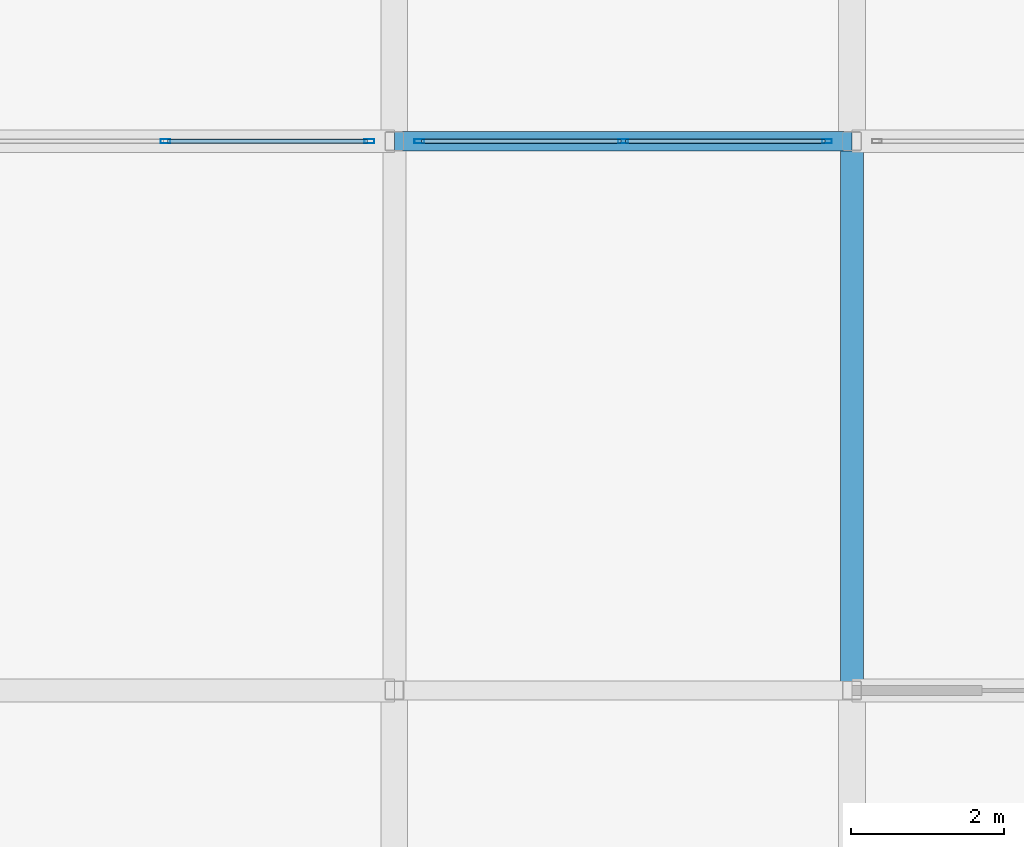
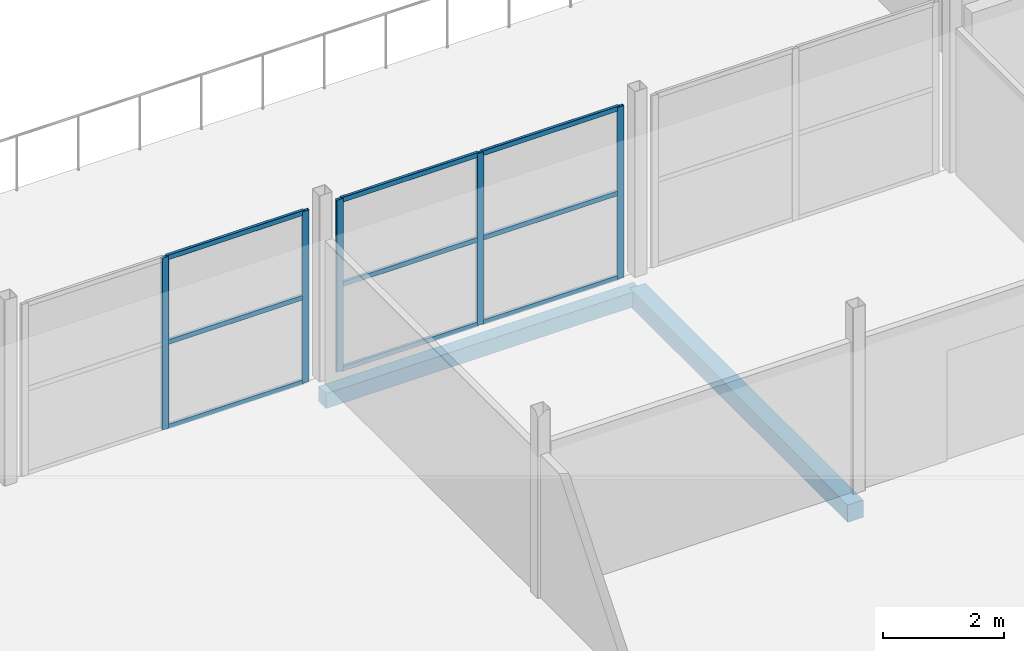
# One storey, part 164 of 239: 14 members, 2 beams, 2 elements without a shape of their own.
"""IFC4 building model written with IfcOpenShell, lengths in metres."""

from ifc_helpers import new_model, si_unit, direction, frame, origin, origin_2d, place, context, subcontext, project, spatial, rectangle, hollow_rectangle, extrude, material, layer, layer_set, material_profile, profile_set, type_object, element, aggregate, save


model = new_model("IFC4")

# Units and contexts
model_context = context("Model", 3, precision=1e-05, world=origin(), true_north=direction((0.0, 1.0)))
body_context = subcontext(model_context, "Body", "Model", "MODEL_VIEW")
ifc_project = project(units=[si_unit("LENGTHUNIT", "METRE"), si_unit("AREAUNIT", "SQUARE_METRE"), si_unit("VOLUMEUNIT", "CUBIC_METRE"), si_unit("PLANEANGLEUNIT", "RADIAN"), si_unit("MASSUNIT", "GRAM", prefix="KILO")], contexts=[model_context])

# Site, building, storey
site_placement = place(None, origin())
site = spatial("IfcSite", under=ifc_project, at=site_placement, CompositionType="ELEMENT")
building_placement = place(site_placement, origin())
building = spatial("IfcBuilding", under=site, at=building_placement, Name="Dunvalen Ferry Terminal", CompositionType="ELEMENT")
storey_placement = place(building_placement, frame((0.0, 0.0, 9.840087890625)))
storey = spatial("IfcBuildingStorey", under=building, at=storey_placement, Name="L02", CompositionType="ELEMENT", Elevation=9.840087890625)

# Curtain wall, members
ifc_material_1 = material(Name="Anodised marine aluminium and solar-control glazing", Category="aluminium")
ifc_layer = layer(ifc_material_1, 0.159912109375, Name="Anodised marine aluminium and solar-control glazing")
ifc_layer_set = layer_set([ifc_layer], Name="Anodised marine aluminium and solar-control glazing")
curtain_wall_type = type_object("IfcCurtainWallType", Name="ENV-CW-SYS-09", PredefinedType="NOTDEFINED", material=ifc_layer_set)
curtain_wall_1_placement = place(storey_placement, origin())
curtain_wall_1 = element("IfcCurtainWall", 1, at=curtain_wall_1_placement, inside=storey, type_object=curtain_wall_type, Name="L02 Curtain Wall CW-PAV-N-3", PredefinedType="NOTDEFINED")
ifc_material_2 = material(Name="Anodised marine aluminium EN AW-6063 T6", Category="aluminium")
ifc_material_profile_1 = material_profile(ifc_material_2, hollow_rectangle(XDim=0.054931640625, YDim=0.1298828125, WallThickness=0.003173828125, InnerFilletRadius=0.003173828125, OuterFilletRadius=0.00634765625, at=origin_2d()), Name="Anodised marine aluminium EN AW-6063 T6")
ifc_profile_set_1 = profile_set([ifc_material_profile_1], Name="Anodised marine aluminium EN AW-6063 T6")
member_type_1 = type_object("IfcMemberType", Name="ENV-CW-MUL-4", PredefinedType="MULLION", material=ifc_profile_set_1)
member_1_placement = place(storey_placement, frame((129.0, 36.0, 0.0), z_axis=(0.0, 0.0, 1.0), x_axis=(0.0, 1.0, 0.0)))
member_1 = element("IfcMember", 2, at=member_1_placement, type_object=member_type_1, Name="CW-09 mullion 2", PredefinedType="MULLION", context=body_context, shape_type="SweptSolid", body=[
    extrude(hollow_rectangle(XDim=0.054931640625, YDim=0.1298828125, WallThickness=0.003173828125, InnerFilletRadius=0.003173828125, OuterFilletRadius=0.00634765625, at=origin_2d()), origin(), (0.0, 0.0, 1.0), 3.4599609375),
])
member_2_placement = place(storey_placement, frame((131.672607421875, 36.0, 0.0), z_axis=(0.0, 0.0, 1.0), x_axis=(0.0, 1.0, 0.0)))
member_2 = element("IfcMember", 3, at=member_2_placement, type_object=member_type_1, Name="CW-09 mullion 3", PredefinedType="MULLION", context=body_context, shape_type="SweptSolid", body=[
    extrude(hollow_rectangle(XDim=0.054931640625, YDim=0.1298828125, WallThickness=0.003173828125, InnerFilletRadius=0.003173828125, OuterFilletRadius=0.00634765625, at=origin_2d()), origin(), (0.0, 0.0, 1.0), 3.4599609375),
])

curtain_wall_2_placement = place(storey_placement, origin())
curtain_wall_2 = element("IfcCurtainWall", 4, at=curtain_wall_2_placement, inside=storey, type_object=curtain_wall_type, Name="L02 Curtain Wall CW-PAV-N-4", PredefinedType="NOTDEFINED")
member_3_placement = place(storey_placement, frame((132.327392578125, 36.0, 0.0), z_axis=(0.0, 0.0, 1.0), x_axis=(0.0, 1.0, 0.0)))
member_3 = element("IfcMember", 5, at=member_3_placement, type_object=member_type_1, Name="CW-09 mullion 1", PredefinedType="MULLION", context=body_context, shape_type="SweptSolid", body=[
    extrude(hollow_rectangle(XDim=0.054931640625, YDim=0.1298828125, WallThickness=0.003173828125, InnerFilletRadius=0.003173828125, OuterFilletRadius=0.00634765625, at=origin_2d()), origin(), (0.0, 0.0, 1.0), 3.4599609375),
])
member_4_placement = place(storey_placement, frame((135.0, 36.0, 0.0), z_axis=(0.0, 0.0, 1.0), x_axis=(0.0, 1.0, 0.0)))
member_4 = element("IfcMember", 6, at=member_4_placement, type_object=member_type_1, Name="CW-09 mullion 2", PredefinedType="MULLION", context=body_context, shape_type="SweptSolid", body=[
    extrude(hollow_rectangle(XDim=0.054931640625, YDim=0.1298828125, WallThickness=0.003173828125, InnerFilletRadius=0.003173828125, OuterFilletRadius=0.00634765625, at=origin_2d()), origin(), (0.0, 0.0, 1.0), 3.4599609375),
])
member_5_placement = place(storey_placement, frame((137.672607421875, 36.0, 0.0), z_axis=(0.0, 0.0, 1.0), x_axis=(0.0, 1.0, 0.0)))
member_5 = element("IfcMember", 7, at=member_5_placement, type_object=member_type_1, Name="CW-09 mullion 3", PredefinedType="MULLION", context=body_context, shape_type="SweptSolid", body=[
    extrude(hollow_rectangle(XDim=0.054931640625, YDim=0.1298828125, WallThickness=0.003173828125, InnerFilletRadius=0.003173828125, OuterFilletRadius=0.00634765625, at=origin_2d()), origin(), (0.0, 0.0, 1.0), 3.4599609375),
])

# Member
ifc_material_profile_2 = material_profile(ifc_material_2, hollow_rectangle(XDim=0.054931640625, YDim=0.10009765625, WallThickness=0.0029296875, InnerFilletRadius=0.0029296875, OuterFilletRadius=0.006103515625, at=origin_2d()), Name="Anodised marine aluminium EN AW-6063 T6")
ifc_profile_set_2 = profile_set([ifc_material_profile_2], Name="Anodised marine aluminium EN AW-6063 T6")
member_type_2 = type_object("IfcMemberType", Name="ENV-CW-TRN-4", PredefinedType="USERDEFINED", material=ifc_profile_set_2)
member_6_placement = place(storey_placement, frame((129.027587890625, 36.0, 0.02734375), z_axis=(1.0, 0.0, 0.0), x_axis=(0.0, 1.0, 0.0)))
member_6 = element("IfcMember", 8, at=member_6_placement, type_object=member_type_2, Name="CW-09 transom 2.1", ObjectType="TRANSOM", PredefinedType="USERDEFINED", context=body_context, shape_type="SweptSolid", body=[
    extrude(hollow_rectangle(XDim=0.054931640625, YDim=0.10009765625, WallThickness=0.0029296875, InnerFilletRadius=0.0029296875, OuterFilletRadius=0.006103515625, at=origin_2d()), origin(), (0.0, 0.0, 1.0), 2.617431640625),
])

member_7_placement = place(storey_placement, frame((129.027587890625, 36.0, 1.72998046875), z_axis=(1.0, 0.0, 0.0), x_axis=(0.0, 1.0, 0.0)))
member_7 = element("IfcMember", 9, at=member_7_placement, type_object=member_type_2, Name="CW-09 transom 2.2", ObjectType="TRANSOM", PredefinedType="USERDEFINED", context=body_context, shape_type="SweptSolid", body=[
    extrude(hollow_rectangle(XDim=0.054931640625, YDim=0.10009765625, WallThickness=0.0029296875, InnerFilletRadius=0.0029296875, OuterFilletRadius=0.006103515625, at=origin_2d()), origin(), (0.0, 0.0, 1.0), 2.617431640625),
])

member_8_placement = place(storey_placement, frame((129.027587890625, 36.0, 3.432373046875), z_axis=(1.0, 0.0, 0.0), x_axis=(0.0, 1.0, 0.0)))
member_8 = element("IfcMember", 10, at=member_8_placement, type_object=member_type_2, Name="CW-09 transom 2.3", ObjectType="TRANSOM", PredefinedType="USERDEFINED", context=body_context, shape_type="SweptSolid", body=[
    extrude(hollow_rectangle(XDim=0.054931640625, YDim=0.10009765625, WallThickness=0.0029296875, InnerFilletRadius=0.0029296875, OuterFilletRadius=0.006103515625, at=origin_2d()), origin(), (0.0, 0.0, 1.0), 2.617431640625),
])

aggregate(curtain_wall_1, [member_1, member_2, member_6, member_7, member_8])

member_9_placement = place(storey_placement, frame((132.35498046875, 36.0, 0.02734375), z_axis=(1.0, 0.0, 0.0), x_axis=(0.0, 1.0, 0.0)))
member_9 = element("IfcMember", 11, at=member_9_placement, type_object=member_type_2, Name="CW-09 transom 1.1", ObjectType="TRANSOM", PredefinedType="USERDEFINED", context=body_context, shape_type="SweptSolid", body=[
    extrude(hollow_rectangle(XDim=0.054931640625, YDim=0.10009765625, WallThickness=0.0029296875, InnerFilletRadius=0.0029296875, OuterFilletRadius=0.006103515625, at=origin_2d()), origin(), (0.0, 0.0, 1.0), 2.617431640625),
])

member_10_placement = place(storey_placement, frame((132.35498046875, 36.0, 1.72998046875), z_axis=(1.0, 0.0, 0.0), x_axis=(0.0, 1.0, 0.0)))
member_10 = element("IfcMember", 12, at=member_10_placement, type_object=member_type_2, Name="CW-09 transom 1.2", ObjectType="TRANSOM", PredefinedType="USERDEFINED", context=body_context, shape_type="SweptSolid", body=[
    extrude(hollow_rectangle(XDim=0.054931640625, YDim=0.10009765625, WallThickness=0.0029296875, InnerFilletRadius=0.0029296875, OuterFilletRadius=0.006103515625, at=origin_2d()), origin(), (0.0, 0.0, 1.0), 2.617431640625),
])

member_11_placement = place(storey_placement, frame((132.35498046875, 36.0, 3.432373046875), z_axis=(1.0, 0.0, 0.0), x_axis=(0.0, 1.0, 0.0)))
member_11 = element("IfcMember", 13, at=member_11_placement, type_object=member_type_2, Name="CW-09 transom 1.3", ObjectType="TRANSOM", PredefinedType="USERDEFINED", context=body_context, shape_type="SweptSolid", body=[
    extrude(hollow_rectangle(XDim=0.054931640625, YDim=0.10009765625, WallThickness=0.0029296875, InnerFilletRadius=0.0029296875, OuterFilletRadius=0.006103515625, at=origin_2d()), origin(), (0.0, 0.0, 1.0), 2.617431640625),
])

member_12_placement = place(storey_placement, frame((135.027587890625, 36.0, 0.02734375), z_axis=(1.0, 0.0, 0.0), x_axis=(0.0, 1.0, 0.0)))
member_12 = element("IfcMember", 14, at=member_12_placement, type_object=member_type_2, Name="CW-09 transom 2.1", ObjectType="TRANSOM", PredefinedType="USERDEFINED", context=body_context, shape_type="SweptSolid", body=[
    extrude(hollow_rectangle(XDim=0.054931640625, YDim=0.10009765625, WallThickness=0.0029296875, InnerFilletRadius=0.0029296875, OuterFilletRadius=0.006103515625, at=origin_2d()), origin(), (0.0, 0.0, 1.0), 2.617431640625),
])

member_13_placement = place(storey_placement, frame((135.027587890625, 36.0, 1.72998046875), z_axis=(1.0, 0.0, 0.0), x_axis=(0.0, 1.0, 0.0)))
member_13 = element("IfcMember", 15, at=member_13_placement, type_object=member_type_2, Name="CW-09 transom 2.2", ObjectType="TRANSOM", PredefinedType="USERDEFINED", context=body_context, shape_type="SweptSolid", body=[
    extrude(hollow_rectangle(XDim=0.054931640625, YDim=0.10009765625, WallThickness=0.0029296875, InnerFilletRadius=0.0029296875, OuterFilletRadius=0.006103515625, at=origin_2d()), origin(), (0.0, 0.0, 1.0), 2.617431640625),
])

member_14_placement = place(storey_placement, frame((135.027587890625, 36.0, 3.432373046875), z_axis=(1.0, 0.0, 0.0), x_axis=(0.0, 1.0, 0.0)))
member_14 = element("IfcMember", 16, at=member_14_placement, type_object=member_type_2, Name="CW-09 transom 2.3", ObjectType="TRANSOM", PredefinedType="USERDEFINED", context=body_context, shape_type="SweptSolid", body=[
    extrude(hollow_rectangle(XDim=0.054931640625, YDim=0.10009765625, WallThickness=0.0029296875, InnerFilletRadius=0.0029296875, OuterFilletRadius=0.006103515625, at=origin_2d()), origin(), (0.0, 0.0, 1.0), 2.617431640625),
])

aggregate(curtain_wall_2, [member_3, member_4, member_5, member_9, member_10, member_11, member_12, member_13, member_14])

# Beams
ifc_material_3 = material(Name="Concrete C35/45", Category="concrete")
ifc_material_profile_3 = material_profile(ifc_material_3, rectangle(XDim=0.25, YDim=0.300048828125, at=origin_2d()), Name="Concrete C35/45")
ifc_profile_set_3 = profile_set([ifc_material_profile_3], Name="Concrete C35/45")
beam_type_1 = type_object("IfcBeamType", Name="STR-BM-RCL300", PredefinedType="LINTEL", material=ifc_profile_set_3)
beam_1_placement = place(storey_placement, frame((132.0, 36.0, -0.43017578125), z_axis=(1.0, 0.0, 0.0), x_axis=(0.0, 1.0, 0.0)))
element("IfcBeam", 17, at=beam_1_placement, inside=storey, type_object=beam_type_1, Name="L02 V4 Primary Beam X-051", PredefinedType="LINTEL", context=body_context, shape_type="SweptSolid", body=[
    extrude(rectangle(XDim=0.25, YDim=0.300048828125, at=origin_2d()), origin(), (0.0, 0.0, 1.0), 6.0),
])
ifc_material_4 = material(Name="Concrete C40/50", Category="concrete")
ifc_material_profile_4 = material_profile(ifc_material_4, rectangle(XDim=0.300048828125, YDim=0.35009765625, at=origin_2d()), Name="Concrete C40/50")
ifc_profile_set_4 = profile_set([ifc_material_profile_4], Name="Concrete C40/50")
beam_type_2 = type_object("IfcBeamType", Name="STR-BM-RCL350", PredefinedType="LINTEL", material=ifc_profile_set_4)
beam_2_placement = place(storey_placement, frame((138.0, 28.800048828125, -0.455078125), z_axis=(0.0, 1.0, 0.0), x_axis=(-1.0, 0.0, 0.0)))
element("IfcBeam", 18, at=beam_2_placement, inside=storey, type_object=beam_type_2, Name="L02 V4 Primary Girder Y-096", PredefinedType="LINTEL", context=body_context, shape_type="SweptSolid", body=[
    extrude(rectangle(XDim=0.300048828125, YDim=0.35009765625, at=origin_2d()), origin(), (0.0, 0.0, 1.0), 7.199951171875),
])

save(model, "model.ifc")
